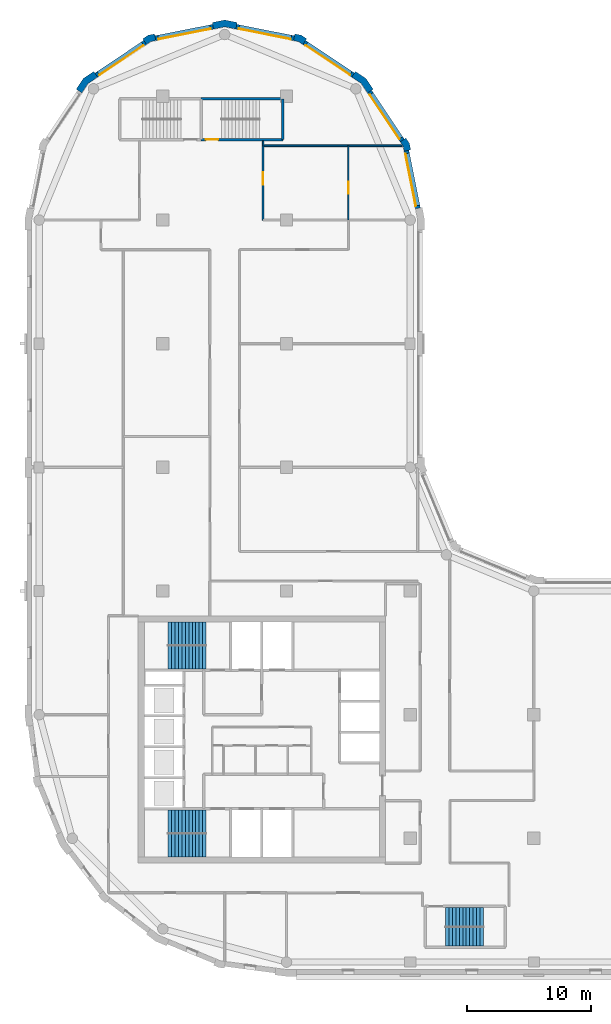
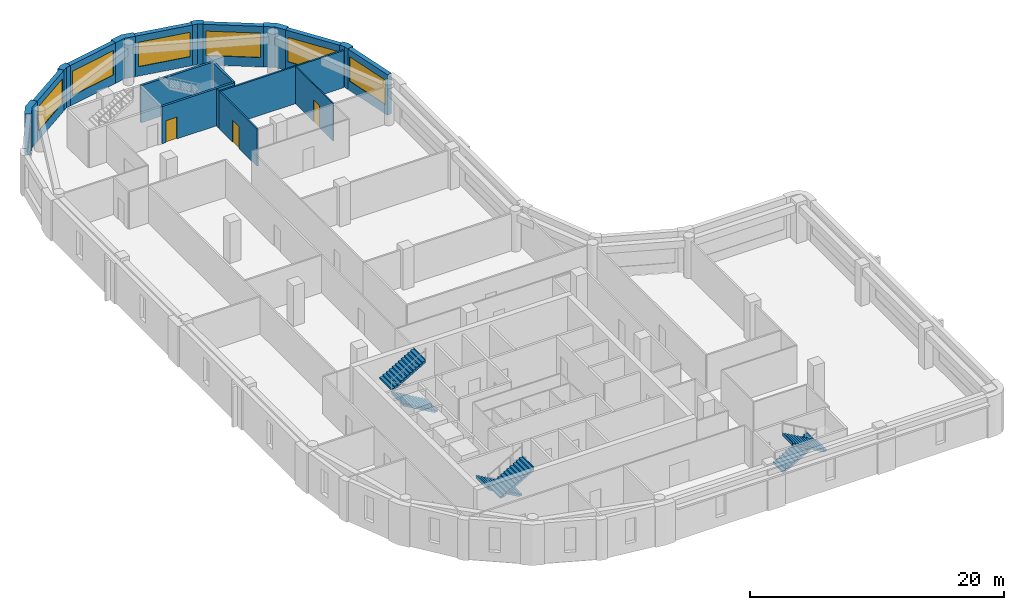
# One storey, part 6 of 9: 19 walls, 6 stair flights, 6 windows, 3 doors, 9 openings, 3 elements without a shape of their own.
"""IFC4 building model written with IfcOpenShell, lengths in metres."""

import ifcopenshell
import ifcopenshell.guid

model = None  # the IFC model being written
_history = None  # IfcOwnerHistory: only IFC2X3 demands one
_inside = {}  # id of a spatial element -> (the spatial element, [elements in it])
_under = {}  # id of a project, library or spatial element -> (it, [spatial elements below it])
_declared = {}  # id of a project -> (the project, [libraries it declares])
_typed = {}  # id of a type object -> (the type object, [elements of that type])
_made_of = {}  # id of a material, layer set ... -> (it, [elements and type objects made of it])


def new_model(schema):
    """Start an empty IFC model of exactly this schema.

    Asked for "IFC4X3", IfcOpenShell would pick the latest addendum, in which some entities
    have other attributes; the version numbers below select the first issue.
    IFC2X3 requires an IfcOwnerHistory on every rooted entity: one is made here for all.
    """
    global model, _history
    if schema == "IFC4X3":
        model = ifcopenshell.file(schema_version=(4, 3, 0, 0))
    else:
        model = ifcopenshell.file(schema=schema)
    _inside.clear()
    _under.clear()
    _declared.clear()
    _typed.clear()
    _made_of.clear()
    _history = None
    if model.schema == "IFC2X3":
        org = make("IfcOrganization", Name="unknown")
        user = make(
            "IfcPersonAndOrganization",
            ThePerson=make("IfcPerson", FamilyName="unknown"),
            TheOrganization=org,
        )
        app = make(
            "IfcApplication",
            ApplicationDeveloper=org,
            Version="unknown",
            ApplicationFullName="unknown",
            ApplicationIdentifier="unknown",
        )
        _history = make(
            "IfcOwnerHistory",
            OwningUser=user,
            OwningApplication=app,
            ChangeAction="ADDED",
            CreationDate=0,
        )
    return model


def make(cls, **values):
    """One entity of the class cls with the attributes given. An attribute that is None is left unset."""
    return model.create_entity(
        cls, **{name: value for name, value in values.items() if value is not None}
    )


def rooted(cls, **values):
    """An entity with a GlobalId (a new one), such as an element, a storey or a relation."""
    return make(cls, GlobalId=ifcopenshell.guid.new(), OwnerHistory=_history, **values)


def si_unit(unit_type, name, prefix=None):
    """IfcSIUnit, for example si_unit("LENGTHUNIT", "METRE", prefix="MILLI")."""
    return make("IfcSIUnit", UnitType=unit_type, Prefix=prefix, Name=name)


def assignment(units):
    """IfcUnitAssignment: the units of a project."""
    return None if units is None else make("IfcUnitAssignment", Units=units)


def point(xyz):
    """IfcCartesianPoint."""
    return None if xyz is None else make("IfcCartesianPoint", Coordinates=xyz)


def direction(xyz):
    """IfcDirection."""
    return None if xyz is None else make("IfcDirection", DirectionRatios=xyz)


def frame(location, z_axis=None, x_axis=None):
    """IfcAxis2Placement3D, a coordinate frame: its origin and axes. An axis left out is left unset."""
    return make(
        "IfcAxis2Placement3D",
        Location=point(location),
        Axis=direction(z_axis),
        RefDirection=direction(x_axis),
    )


def frame_2d(location, x_axis=None):
    """IfcAxis2Placement2D, a coordinate frame in the plane: its origin and x axis."""
    return make(
        "IfcAxis2Placement2D", Location=point(location), RefDirection=direction(x_axis)
    )


def origin():
    """The frame at (0, 0, 0) with its axes left unset."""
    return frame((0.0, 0.0, 0.0))


def place(relative_to, where):
    """IfcLocalPlacement: puts the frame where relative to a parent placement (None: the world)."""
    return make(
        "IfcLocalPlacement", PlacementRelTo=relative_to, RelativePlacement=where
    )


def context(
    kind, dimensions, precision=None, world=None, true_north=None, identifier=None
):
    """IfcGeometricRepresentationContext, for example the 3D "Model" context."""
    return make(
        "IfcGeometricRepresentationContext",
        ContextIdentifier=identifier,
        ContextType=kind,
        CoordinateSpaceDimension=dimensions,
        Precision=precision,
        WorldCoordinateSystem=world,
        TrueNorth=true_north,
    )


def subcontext(parent, identifier, kind, view, scale=None):
    """IfcGeometricRepresentationSubContext, for example "Body" below "Model"."""
    return make(
        "IfcGeometricRepresentationSubContext",
        ContextIdentifier=identifier,
        ContextType=kind,
        ParentContext=parent,
        TargetScale=scale,
        TargetView=view,
    )


def project(units=None, contexts=None):
    """IfcProject with its units and contexts."""
    return rooted(
        "IfcProject",
        Name="project",
        RepresentationContexts=contexts,
        UnitsInContext=assignment(units),
    )


def spatial(cls, under=None, at=None, **own):
    """A site, building, storey or space (cls), placed at a placement, below another one or the project."""
    s = rooted(cls, ObjectPlacement=at, **own)
    if under is not None:
        _under.setdefault(under.id(), (under, []))[1].append(s)
    return s


def polyline(points):
    """IfcPolyline through the points."""
    return make("IfcPolyline", Points=[point(p) for p in points])


def profile(cls, at=None, kind="AREA", **sizes):
    """A parametric profile (cls). Its sizes go by their IFC names, for example OverallWidth=200.0."""
    return make(cls, ProfileType=kind, Position=at, **sizes)


def rectangle(**sizes):
    """IfcRectangleProfileDef."""
    return profile("IfcRectangleProfileDef", **sizes)


def outline(outer, holes=None, kind="AREA"):
    """IfcArbitraryClosedProfileDef: a profile drawn as a closed curve; with holes, ...WithVoids."""
    if holes is None:
        return make("IfcArbitraryClosedProfileDef", ProfileType=kind, OuterCurve=outer)
    return make(
        "IfcArbitraryProfileDefWithVoids",
        ProfileType=kind,
        OuterCurve=outer,
        InnerCurves=holes,
    )


def extrude(swept, where, along, depth):
    """IfcExtrudedAreaSolid: the profile swept, set in the frame where, extruded along a direction by depth."""
    return make(
        "IfcExtrudedAreaSolid",
        SweptArea=swept,
        Position=where,
        ExtrudedDirection=direction(along),
        Depth=depth,
    )


def shape(context_of_items, identifier, shape_type, items):
    """IfcShapeRepresentation: the items that make up one representation, for example the "Body"."""
    return make(
        "IfcShapeRepresentation",
        ContextOfItems=context_of_items,
        RepresentationIdentifier=identifier,
        RepresentationType=shape_type,
        Items=items,
    )


def material(Name=None, Category=None):
    """IfcMaterial."""
    return make("IfcMaterial", Name=Name, Category=Category)


def layer(
    of_material, thickness, ventilated=None, Name=None, Category=None, Priority=None
):
    """IfcMaterialLayer: one layer of a wall or slab, of a material (None: an air gap)."""
    return make(
        "IfcMaterialLayer",
        Material=of_material,
        LayerThickness=thickness,
        IsVentilated=ventilated,
        Name=Name,
        Category=Category,
        Priority=Priority,
    )


def layer_set(layers, Name=None):
    """IfcMaterialLayerSet."""
    return make("IfcMaterialLayerSet", MaterialLayers=layers, LayerSetName=Name)


def made_of(thing, what):
    """Note that an element or type object is made of a material, layer set ...; save() writes the relation."""
    if what is not None:
        _made_of.setdefault(what.id(), (what, []))[1].append(thing)
    return thing


def type_object(cls, material=None, **own):
    """A type object (cls), such as IfcWallType, which elements share."""
    return made_of(rooted(cls, **own), material)


def element(
    cls,
    number,
    at=None,
    inside=None,
    cuts=None,
    type_object=None,
    material=None,
    context=None,
    identifier="Body",
    shape_type=None,
    held_by="IfcProductDefinitionShape",
    body=None,
    shapes=None,
    **own,
):
    """One element of the class cls, such as IfcWall. Its Tag is "e" and its number.

    at: its placement. inside: the storey or other place that contains it. cuts: it is an
    opening in that element (IfcRelVoidsElement). A single representation is given by context,
    identifier, shape_type and body (its items); several are given by shapes. held_by: the class
    of the entity that holds the representations. save() writes the other relations.
    """
    e = rooted(cls, Tag="e%d" % number, ObjectPlacement=at, **own)
    if body is not None:
        shapes = [shape(context, identifier, shape_type, body)]
    if shapes is not None:
        e.Representation = make(held_by, Representations=shapes)
    if inside is not None:
        _inside.setdefault(inside.id(), (inside, []))[1].append(e)
    if cuts is not None:
        rooted(
            "IfcRelVoidsElement", RelatingBuildingElement=cuts, RelatedOpeningElement=e
        )
    if type_object is not None:
        _typed.setdefault(type_object.id(), (type_object, []))[1].append(e)
    return made_of(e, material)


def fill(opening, filler):
    """IfcRelFillsElement: the door or window that sits in an opening."""
    return rooted(
        "IfcRelFillsElement",
        RelatingOpeningElement=opening,
        RelatedBuildingElement=filler,
    )


def aggregate(whole, parts):
    """IfcRelAggregates: a whole, such as a stair, and the parts it consists of."""
    return rooted("IfcRelAggregates", RelatingObject=whole, RelatedObjects=parts)


def save(model, path):
    """Write the relations noted so far, then the file.

    IfcRelAggregates (storeys below a building ...), IfcRelContainedInSpatialStructure (elements
    in a storey), IfcRelDefinesByType, IfcRelAssociatesMaterial and IfcRelDeclares: one each for
    every whole, place, type object, material and project.
    """
    for whole, parts in _under.values():
        aggregate(whole, parts)
    for where, things in _inside.values():
        rooted(
            "IfcRelContainedInSpatialStructure",
            RelatedElements=things,
            RelatingStructure=where,
        )
    for kind, things in _typed.values():
        rooted("IfcRelDefinesByType", RelatedObjects=things, RelatingType=kind)
    for what, things in _made_of.values():
        rooted("IfcRelAssociatesMaterial", RelatedObjects=things, RelatingMaterial=what)
    for by, libraries in _declared.values():
        rooted("IfcRelDeclares", RelatingContext=by, RelatedDefinitions=libraries)
    model.write(path)


model = new_model("IFC4")

# Units and contexts
model_context = context("Model", 3, precision=1e-05, world=origin(), true_north=direction((0.0, 1.0)))
body_context = subcontext(model_context, "Body", "Model", "MODEL_VIEW")
ifc_project = project(units=[si_unit("LENGTHUNIT", "METRE"), si_unit("AREAUNIT", "SQUARE_METRE"), si_unit("VOLUMEUNIT", "CUBIC_METRE"), si_unit("PLANEANGLEUNIT", "RADIAN"), si_unit("MASSUNIT", "GRAM", prefix="KILO")], contexts=[model_context])

# Site, building, storey
site_placement = place(None, origin())
site = spatial("IfcSite", under=ifc_project, at=site_placement, CompositionType="ELEMENT")
building_placement = place(site_placement, origin())
building = spatial("IfcBuilding", under=site, at=building_placement, Name="Qaws Garden Tower", CompositionType="ELEMENT")
storey_placement = place(building_placement, frame((0.0, 0.0, 270.89990234375)))
storey = spatial("IfcBuildingStorey", under=building, at=storey_placement, Name="L65", CompositionType="ELEMENT", Elevation=270.89990234375)

# Wall, opening, window
ifc_material_1 = material(Name="Clay facing brick masonry", Category="masonry")
ifc_layer_1 = layer(ifc_material_1, 0.39990234375)
ifc_layer_set_1 = layer_set([ifc_layer_1], Name="Clay facing brick masonry")
wall_type_1 = type_object("IfcWallType", Name="Brick infill wall 400", PredefinedType="SOLIDWALL", material=ifc_layer_set_1)
wall_1_placement = place(storey_placement, frame((30.628662109375, 60.940673828125, 0.0), z_axis=(0.0, 0.0, 1.0), x_axis=(-0.195098533057, 0.98078364709, 0.0)))
wall_1 = element("IfcWall", 1, at=wall_1_placement, inside=storey, type_object=wall_type_1, Name="E-L65-infill-11", PredefinedType="SOLIDWALL", context=body_context, shape_type="SweptSolid", body=[
    extrude(rectangle(XDim=4.752685546875, YDim=0.39990234375, at=frame_2d((2.37646484375, 0.0))), origin(), (0.0, 0.0, 1.0), 3.900146484375),
])
opening_1_placement = place(wall_1_placement, frame((0.226318359375, 0.0, 0.89990234375)))
opening_1 = element("IfcOpeningElement", 2, at=opening_1_placement, cuts=wall_1, Name="Opening W06", PredefinedType="OPENING", context=body_context, shape_type="SweptSolid", body=[
    extrude(rectangle(XDim=4.300048828125, YDim=2.35009765625, at=frame_2d((2.14990234375, 1.175048828125))), frame((0.0, 0.2099609375, 0.0), z_axis=(0.0, -1.0, 0.0), x_axis=(1.0, 0.0, 0.0)), (0.0, 0.0, 1.0), 0.419921875),
])
ifc_material_2 = material(Name="Aluminium framed window, clear glazing", Category="aluminium")
window_type = type_object("IfcWindowType", Name="Ribbon window 4300 x 2350", PartitioningType="DOUBLE_PANEL_VERTICAL", PredefinedType="WINDOW", material=ifc_material_2)
window_1_placement = place(opening_1_placement, origin())
window_1 = element("IfcWindow", 3, at=window_1_placement, inside=storey, type_object=window_type, Name="E-L65-window-11-0", OverallHeight=2.35009765625, OverallWidth=4.300048828125, PartitioningType="SINGLE_PANEL", PredefinedType="WINDOW", context=body_context, shape_type="SweptSolid", body=[
    extrude(rectangle(XDim=4.300048828125, YDim=2.35009765625, at=frame_2d((2.14990234375, 1.175048828125))), frame((0.0, 0.159912109375, 0.0), z_axis=(0.0, -1.0, 0.0), x_axis=(1.0, 0.0, 0.0)), (0.0, 0.0, 1.0), 0.06005859375),
])
fill(opening_1, window_1)

wall_2_placement = place(storey_placement, frame((29.356689453125, 66.43408203125, 0.0), z_axis=(0.0, 0.0, 1.0), x_axis=(-0.555541552266, 0.831488775454, 0.0)))
wall_2 = element("IfcWall", 4, at=wall_2_placement, inside=storey, type_object=wall_type_1, Name="E-L65-infill-12", PredefinedType="SOLIDWALL", context=body_context, shape_type="SweptSolid", body=[
    extrude(rectangle(XDim=4.752685546875, YDim=0.39990234375, at=frame_2d((2.37646484375, 0.0))), origin(), (0.0, 0.0, 1.0), 3.900146484375),
])
opening_2_placement = place(wall_2_placement, frame((0.226318359375, 0.0, 0.89990234375)))
opening_2 = element("IfcOpeningElement", 5, at=opening_2_placement, cuts=wall_2, Name="Opening W06", PredefinedType="OPENING", context=body_context, shape_type="SweptSolid", body=[
    extrude(rectangle(XDim=4.300048828125, YDim=2.35009765625, at=frame_2d((2.14990234375, 1.175048828125))), frame((0.0, 0.2099609375, 0.0), z_axis=(0.0, -1.0, 0.0), x_axis=(1.0, 0.0, 0.0)), (0.0, 0.0, 1.0), 0.419921875),
])
window_2_placement = place(opening_2_placement, origin())
window_2 = element("IfcWindow", 6, at=window_2_placement, inside=storey, type_object=window_type, Name="E-L65-window-12-0", OverallHeight=2.35009765625, OverallWidth=4.300048828125, PartitioningType="SINGLE_PANEL", PredefinedType="WINDOW", context=body_context, shape_type="SweptSolid", body=[
    extrude(rectangle(XDim=4.300048828125, YDim=2.35009765625, at=frame_2d((2.14990234375, 1.175048828125))), frame((0.0, 0.159912109375, 0.0), z_axis=(0.0, -1.0, 0.0), x_axis=(1.0, 0.0, 0.0)), (0.0, 0.0, 1.0), 0.06005859375),
])
fill(opening_2, window_2)

wall_3_placement = place(storey_placement, frame((25.385986328125, 71.71630859375, 0.0), z_axis=(0.0, 0.0, 1.0), x_axis=(-0.831488775454, 0.555541552266, 0.0)))
wall_3 = element("IfcWall", 7, at=wall_3_placement, inside=storey, type_object=wall_type_1, Name="E-L65-infill-13", PredefinedType="SOLIDWALL", context=body_context, shape_type="SweptSolid", body=[
    extrude(rectangle(XDim=4.752685546875, YDim=0.39990234375, at=frame_2d((2.37646484375, 0.0))), origin(), (0.0, 0.0, 1.0), 3.900146484375),
])
opening_3_placement = place(wall_3_placement, frame((0.226318359375, 0.0, 0.89990234375)))
opening_3 = element("IfcOpeningElement", 8, at=opening_3_placement, cuts=wall_3, Name="Opening W06", PredefinedType="OPENING", context=body_context, shape_type="SweptSolid", body=[
    extrude(rectangle(XDim=4.300048828125, YDim=2.35009765625, at=frame_2d((2.14990234375, 1.175048828125))), frame((0.0, 0.2099609375, 0.0), z_axis=(0.0, -1.0, 0.0), x_axis=(1.0, 0.0, 0.0)), (0.0, 0.0, 1.0), 0.419921875),
])
window_3_placement = place(opening_3_placement, origin())
window_3 = element("IfcWindow", 9, at=window_3_placement, inside=storey, type_object=window_type, Name="E-L65-window-13-0", OverallHeight=2.35009765625, OverallWidth=4.300048828125, PartitioningType="SINGLE_PANEL", PredefinedType="WINDOW", context=body_context, shape_type="SweptSolid", body=[
    extrude(rectangle(XDim=4.300048828125, YDim=2.35009765625, at=frame_2d((2.14990234375, 1.175048828125))), frame((0.0, 0.159912109375, 0.0), z_axis=(0.0, -1.0, 0.0), x_axis=(1.0, 0.0, 0.0)), (0.0, 0.0, 1.0), 0.06005859375),
])
fill(opening_3, window_3)

wall_4_placement = place(storey_placement, frame((20.60205078125, 74.701416015625, 0.0), z_axis=(0.0, 0.0, 1.0), x_axis=(-0.98078364709, 0.195098533057, 0.0)))
wall_4 = element("IfcWall", 10, at=wall_4_placement, inside=storey, type_object=wall_type_1, Name="E-L65-infill-14", PredefinedType="SOLIDWALL", context=body_context, shape_type="SweptSolid", body=[
    extrude(rectangle(XDim=4.752685546875, YDim=0.39990234375, at=frame_2d((2.37646484375, 0.0))), origin(), (0.0, 0.0, 1.0), 3.900146484375),
])
opening_4_placement = place(wall_4_placement, frame((0.226318359375, 0.0, 0.89990234375)))
opening_4 = element("IfcOpeningElement", 11, at=opening_4_placement, cuts=wall_4, Name="Opening W06", PredefinedType="OPENING", context=body_context, shape_type="SweptSolid", body=[
    extrude(rectangle(XDim=4.300048828125, YDim=2.35009765625, at=frame_2d((2.14990234375, 1.175048828125))), frame((0.0, 0.2099609375, 0.0), z_axis=(0.0, -1.0, 0.0), x_axis=(1.0, 0.0, 0.0)), (0.0, 0.0, 1.0), 0.419921875),
])
window_4_placement = place(opening_4_placement, origin())
window_4 = element("IfcWindow", 12, at=window_4_placement, inside=storey, type_object=window_type, Name="E-L65-window-14-0", OverallHeight=2.35009765625, OverallWidth=4.300048828125, PartitioningType="SINGLE_PANEL", PredefinedType="WINDOW", context=body_context, shape_type="SweptSolid", body=[
    extrude(rectangle(XDim=4.300048828125, YDim=2.35009765625, at=frame_2d((2.14990234375, 1.175048828125))), frame((0.0, 0.159912109375, 0.0), z_axis=(0.0, -1.0, 0.0), x_axis=(1.0, 0.0, 0.0)), (0.0, 0.0, 1.0), 0.06005859375),
])
fill(opening_4, window_4)

wall_5_placement = place(storey_placement, frame((14.059326171875, 75.628662109375, 0.0), z_axis=(0.0, 0.0, 1.0), x_axis=(-0.98078364709, -0.195098533057, 0.0)))
wall_5 = element("IfcWall", 13, at=wall_5_placement, inside=storey, type_object=wall_type_1, Name="E-L65-infill-15", PredefinedType="SOLIDWALL", context=body_context, shape_type="SweptSolid", body=[
    extrude(rectangle(XDim=4.752685546875, YDim=0.39990234375, at=frame_2d((2.37646484375, 0.0))), origin(), (0.0, 0.0, 1.0), 3.900146484375),
])
opening_5_placement = place(wall_5_placement, frame((0.226318359375, 0.0, 0.89990234375)))
opening_5 = element("IfcOpeningElement", 14, at=opening_5_placement, cuts=wall_5, Name="Opening W06", PredefinedType="OPENING", context=body_context, shape_type="SweptSolid", body=[
    extrude(rectangle(XDim=4.300048828125, YDim=2.35009765625, at=frame_2d((2.14990234375, 1.175048828125))), frame((0.0, 0.2099609375, 0.0), z_axis=(0.0, -1.0, 0.0), x_axis=(1.0, 0.0, 0.0)), (0.0, 0.0, 1.0), 0.419921875),
])
window_5_placement = place(opening_5_placement, origin())
window_5 = element("IfcWindow", 15, at=window_5_placement, inside=storey, type_object=window_type, Name="E-L65-window-15-0", OverallHeight=2.35009765625, OverallWidth=4.300048828125, PartitioningType="SINGLE_PANEL", PredefinedType="WINDOW", context=body_context, shape_type="SweptSolid", body=[
    extrude(rectangle(XDim=4.300048828125, YDim=2.35009765625, at=frame_2d((2.14990234375, 1.175048828125))), frame((0.0, 0.159912109375, 0.0), z_axis=(0.0, -1.0, 0.0), x_axis=(1.0, 0.0, 0.0)), (0.0, 0.0, 1.0), 0.06005859375),
])
fill(opening_5, window_5)

wall_6_placement = place(storey_placement, frame((8.56591796875, 74.356689453125, 0.0), z_axis=(0.0, 0.0, 1.0), x_axis=(-0.831488775454, -0.555541552266, 0.0)))
wall_6 = element("IfcWall", 16, at=wall_6_placement, inside=storey, type_object=wall_type_1, Name="E-L65-infill-16", PredefinedType="SOLIDWALL", context=body_context, shape_type="SweptSolid", body=[
    extrude(rectangle(XDim=4.752685546875, YDim=0.39990234375, at=frame_2d((2.37646484375, 0.0))), origin(), (0.0, 0.0, 1.0), 3.900146484375),
])
opening_6_placement = place(wall_6_placement, frame((0.226318359375, 0.0, 0.89990234375)))
opening_6 = element("IfcOpeningElement", 17, at=opening_6_placement, cuts=wall_6, Name="Opening W06", PredefinedType="OPENING", context=body_context, shape_type="SweptSolid", body=[
    extrude(rectangle(XDim=4.300048828125, YDim=2.35009765625, at=frame_2d((2.14990234375, 1.175048828125))), frame((0.0, 0.2099609375, 0.0), z_axis=(0.0, -1.0, 0.0), x_axis=(1.0, 0.0, 0.0)), (0.0, 0.0, 1.0), 0.419921875),
])
window_6_placement = place(opening_6_placement, origin())
window_6 = element("IfcWindow", 18, at=window_6_placement, inside=storey, type_object=window_type, Name="E-L65-window-16-0", OverallHeight=2.35009765625, OverallWidth=4.300048828125, PartitioningType="SINGLE_PANEL", PredefinedType="WINDOW", context=body_context, shape_type="SweptSolid", body=[
    extrude(rectangle(XDim=4.300048828125, YDim=2.35009765625, at=frame_2d((2.14990234375, 1.175048828125))), frame((0.0, 0.159912109375, 0.0), z_axis=(0.0, -1.0, 0.0), x_axis=(1.0, 0.0, 0.0)), (0.0, 0.0, 1.0), 0.06005859375),
])
fill(opening_6, window_6)

# Walls
ifc_material_3 = material(Name="Clay facing brick masonry", Category="masonry")
ifc_layer_2 = layer(ifc_material_3, 0.550048828125)
ifc_layer_set_2 = layer_set([ifc_layer_2], Name="Clay facing brick masonry")
wall_type_2 = type_object("IfcWallType", Name="Brick kink pier 550 x 600", PredefinedType="SOLIDWALL", material=ifc_layer_set_2)
placement = place(storey_placement, origin())
element("IfcWall", 19, at=placement, inside=storey, type_object=wall_type_2, Name="E-L65-pier-12", PredefinedType="SOLIDWALL", context=body_context, shape_type="SweptSolid", body=[
    extrude(outline(polyline([(29.8974609375, 65.64111328125), (30.044677734375, 65.67041015625), (29.94140625, 66.18896484375), (29.647705078125, 66.628662109375), (29.52294921875, 66.545166015625), (29.1904296875, 66.322998046875), (29.42333984375, 65.974365234375), (29.505126953125, 65.56298828125), (29.8974609375, 65.64111328125)])), origin(), (0.0, 0.0, 1.0), 3.900146484375),
])
element("IfcWall", 20, at=placement, inside=storey, type_object=wall_type_2, Name="E-L65-pier-14", PredefinedType="SOLIDWALL", context=body_context, shape_type="SweptSolid", body=[
    extrude(outline(polyline([(21.545166015625, 74.52294921875), (21.628662109375, 74.647705078125), (21.18896484375, 74.94140625), (20.67041015625, 75.044677734375), (20.64111328125, 74.8974609375), (20.56298828125, 74.505126953125), (20.974365234375, 74.42333984375), (21.322998046875, 74.1904296875), (21.545166015625, 74.52294921875)])), origin(), (0.0, 0.0, 1.0), 3.900146484375),
])
element("IfcWall", 21, at=placement, inside=storey, type_object=wall_type_2, Name="E-L65-pier-16", PredefinedType="SOLIDWALL", context=body_context, shape_type="SweptSolid", body=[
    extrude(outline(polyline([(9.35888671875, 74.8974609375), (9.32958984375, 75.044677734375), (8.81103515625, 74.94140625), (8.371337890625, 74.647705078125), (8.454833984375, 74.52294921875), (8.677001953125, 74.1904296875), (9.025634765625, 74.42333984375), (9.43701171875, 74.505126953125), (9.35888671875, 74.8974609375)])), origin(), (0.0, 0.0, 1.0), 3.900146484375),
])
ifc_material_4 = material(Name="Clay facing brick masonry", Category="masonry")
ifc_layer_3 = layer(ifc_material_4, 0.550048828125)
ifc_layer_set_3 = layer_set([ifc_layer_3], Name="Clay facing brick masonry")
wall_type_3 = type_object("IfcWallType", Name="Brick pier 550 x 1600", PredefinedType="SOLIDWALL", material=ifc_layer_set_3)
element("IfcWall", 22, at=placement, inside=storey, type_object=wall_type_3, Name="E-L65-pier-13", PredefinedType="SOLIDWALL", context=body_context, shape_type="SweptSolid", body=[
    extrude(outline(polyline([(26.882568359375, 70.4970703125), (27.00732421875, 70.580322265625), (26.435791015625, 71.435791015625), (25.580322265625, 72.00732421875), (25.4970703125, 71.882568359375), (25.274658203125, 71.550048828125), (26.0390625, 71.0390625), (26.550048828125, 70.274658203125), (26.882568359375, 70.4970703125)])), origin(), (0.0, 0.0, 1.0), 3.900146484375),
])
element("IfcWall", 23, at=placement, inside=storey, type_object=wall_type_3, Name="E-L65-pier-15", PredefinedType="SOLIDWALL", context=body_context, shape_type="SweptSolid", body=[
    extrude(outline(polyline([(15.979736328125, 75.82470703125), (16.009033203125, 75.971923828125), (15.0, 76.172607421875), (13.990966796875, 75.971923828125), (14.020263671875, 75.82470703125), (14.098388671875, 75.432373046875), (15.0, 75.61181640625), (15.901611328125, 75.432373046875), (15.979736328125, 75.82470703125)])), origin(), (0.0, 0.0, 1.0), 3.900146484375),
])
element("IfcWall", 24, at=placement, inside=storey, type_object=wall_type_3, Name="E-L65-pier-17", PredefinedType="SOLIDWALL", context=body_context, shape_type="SweptSolid", body=[
    extrude(outline(polyline([(4.5029296875, 71.882568359375), (4.419677734375, 72.00732421875), (3.564208984375, 71.435791015625), (2.99267578125, 70.580322265625), (3.117431640625, 70.4970703125), (3.449951171875, 70.274658203125), (3.9609375, 71.0390625), (4.725341796875, 71.550048828125), (4.5029296875, 71.882568359375)])), origin(), (0.0, 0.0, 1.0), 3.900146484375),
])

# Wall, opening, door
ifc_material_5 = material(Name="Concrete C60", Category="concrete")
ifc_layer_4 = layer(ifc_material_5, 0.199951171875)
ifc_layer_set_4 = layer_set([ifc_layer_4], Name="Concrete C60")
wall_type_4 = type_object("IfcWallType", Name="Core shaft wall 200 C60", PredefinedType="SHEAR", material=ifc_layer_set_4)
wall_13_placement = place(storey_placement, frame((13.10009765625, 66.5, 0.0), z_axis=(0.0, 0.0, 1.0), x_axis=(1.0, 0.0, 0.0)))
wall_13 = element("IfcWall", 25, at=wall_13_placement, inside=storey, type_object=wall_type_4, Name="Shaft wall", PredefinedType="SHEAR", context=body_context, shape_type="SweptSolid", body=[
    extrude(rectangle(XDim=6.599853515625, YDim=0.199951171875, at=frame_2d((3.2998046875, 0.0))), origin(), (0.0, 0.0, 1.0), 3.580078125),
])
opening_7_placement = place(wall_13_placement, frame((0.375, 0.0, 0.0)))
opening_7 = element("IfcOpeningElement", 26, at=opening_7_placement, cuts=wall_13, Name="Opening SD14", PredefinedType="OPENING", context=body_context, shape_type="SweptSolid", body=[
    extrude(rectangle(XDim=1.0, YDim=2.10009765625, at=frame_2d((0.5, 1.050048828125))), frame((0.0, 0.10986328125, 0.0), z_axis=(0.0, -1.0, 0.0), x_axis=(1.0, 0.0, 0.0)), (0.0, 0.0, 1.0), 0.219970703125),
])
ifc_material_6 = material(Name="Steel S235", Category="steel")
door_type_1 = type_object("IfcDoorType", Name="Stair door 1000x2100", OperationType="SINGLE_SWING_RIGHT", PredefinedType="DOOR", material=ifc_material_6)
door_1_placement = place(opening_7_placement, origin())
door_1 = element("IfcDoor", 27, at=door_1_placement, inside=storey, type_object=door_type_1, Name="Stair 7 door", OperationType="SINGLE_SWING_LEFT", OverallHeight=2.10009765625, OverallWidth=1.0, PredefinedType="DOOR", context=body_context, shape_type="SweptSolid", body=[
    extrude(rectangle(XDim=1.0, YDim=2.10009765625, at=frame_2d((0.5, 1.050048828125))), frame((0.0, 0.02490234375, 0.0), z_axis=(0.0, -1.0, 0.0), x_axis=(1.0, 0.0, 0.0)), (0.0, 0.0, 1.0), 0.050048828125),
])
fill(opening_7, door_1)

# Walls
wall_14_placement = place(storey_placement, frame((13.10009765625, 69.800048828125, 0.0), z_axis=(0.0, 0.0, 1.0), x_axis=(1.0, 0.0, 0.0)))
element("IfcWall", 28, at=wall_14_placement, inside=storey, type_object=wall_type_4, Name="Shaft wall", PredefinedType="SHEAR", context=body_context, shape_type="SweptSolid", body=[
    extrude(rectangle(XDim=6.599853515625, YDim=0.199951171875, at=frame_2d((3.2998046875, 0.0))), origin(), (0.0, 0.0, 1.0), 3.580078125),
])
wall_15_placement = place(storey_placement, frame((19.699951171875, 66.5, 0.0), z_axis=(0.0, 0.0, 1.0), x_axis=(0.0, 1.0, 0.0)))
element("IfcWall", 29, at=wall_15_placement, inside=storey, type_object=wall_type_4, Name="Shaft wall", PredefinedType="SHEAR", context=body_context, shape_type="SweptSolid", body=[
    extrude(rectangle(XDim=3.300048828125, YDim=0.199951171875, at=frame_2d((1.64990234375, 0.0))), origin(), (0.0, 0.0, 1.0), 3.580078125),
])
ifc_material_7 = material(Name="Glass and aluminium framing", Category="aluminium")
ifc_layer_5 = layer(ifc_material_7, 0.1201171875)
ifc_layer_set_5 = layer_set([ifc_layer_5], Name="Glass and aluminium framing")
wall_type_5 = type_object("IfcWallType", Name="GLAZED PARTITION 120 EI 30", PredefinedType="PARTITIONING", material=ifc_layer_set_5)
wall_16_placement = place(storey_placement, frame((18.10009765625, 66.0, 0.0), z_axis=(0.0, 0.0, 1.0), x_axis=(0.0, 1.0, 0.0)))
element("IfcWall", 30, at=wall_16_placement, inside=storey, type_object=wall_type_5, Name="O-L65-wall-043", PredefinedType="PARTITIONING", context=body_context, shape_type="SweptSolid", body=[
    extrude(rectangle(XDim=0.39990234375, YDim=0.1201171875, at=frame_2d((0.199951171875, 0.0))), origin(), (0.0, 0.0, 1.0), 3.580078125),
])

# Wall, opening, door
ifc_material_8 = material(Name="Gypsum board partition")
ifc_layer_6 = layer(ifc_material_8, 0.10009765625)
ifc_layer_set_6 = layer_set([ifc_layer_6], Name="Gypsum board partition")
wall_type_6 = type_object("IfcWallType", Name="PARTITION 100", PredefinedType="PARTITIONING", material=ifc_layer_set_6)
wall_17_placement = place(storey_placement, frame((25.0, 60.0, 0.0), z_axis=(0.0, 0.0, 1.0), x_axis=(0.0, 1.0, 0.0)))
wall_17 = element("IfcWall", 31, at=wall_17_placement, inside=storey, type_object=wall_type_6, Name="O-L65-wall-001", PredefinedType="PARTITIONING", context=body_context, shape_type="SweptSolid", body=[
    extrude(rectangle(XDim=6.0, YDim=0.10009765625, at=frame_2d((3.0, 0.0))), origin(), (0.0, 0.0, 1.0), 3.580078125),
])
opening_8_placement = place(wall_17_placement, frame((2.125, 0.0, 0.0)))
opening_8 = element("IfcOpeningElement", 32, at=opening_8_placement, cuts=wall_17, Name="Opening C219", PredefinedType="OPENING", context=body_context, shape_type="SweptSolid", body=[
    extrude(rectangle(XDim=0.949951171875, YDim=2.10009765625, at=frame_2d((0.47509765625, 1.050048828125))), frame((0.0, 0.06005859375, 0.0), z_axis=(0.0, -1.0, 0.0), x_axis=(1.0, 0.0, 0.0)), (0.0, 0.0, 1.0), 0.1201171875),
])
ifc_material_9 = material(Name="Timber and glass door leaf", Category="wood")
door_type_2 = type_object("IfcDoorType", Name="GLAZED DOOR 950 X 2100", OperationType="SINGLE_SWING_LEFT", PredefinedType="DOOR", material=ifc_material_9)
door_2_placement = place(opening_8_placement, frame((0.949951171875, 0.0, 0.0), z_axis=(0.0, 0.0, 1.0), x_axis=(-1.0, 0.0, 0.0)))
door_2 = element("IfcDoor", 33, at=door_2_placement, inside=storey, type_object=door_type_2, Name="O-L65-door-019", OperationType="SINGLE_SWING_RIGHT", OverallHeight=2.10009765625, OverallWidth=0.949951171875, PredefinedType="DOOR", context=body_context, shape_type="SweptSolid", body=[
    extrude(rectangle(XDim=0.949951171875, YDim=2.10009765625, at=frame_2d((0.47509765625, 1.050048828125))), frame((0.0, 0.02490234375, 0.0), z_axis=(0.0, -1.0, 0.0), x_axis=(1.0, 0.0, 0.0)), (0.0, 0.0, 1.0), 0.050048828125),
])
fill(opening_8, door_2)

ifc_material_10 = material(Name="Gypsum board partition")
ifc_layer_7 = layer(ifc_material_10, 0.14990234375)
ifc_layer_set_7 = layer_set([ifc_layer_7], Name="Gypsum board partition")
wall_type_7 = type_object("IfcWallType", Name="PARTITION 150 EI 60", PredefinedType="PARTITIONING", material=ifc_layer_set_7)
wall_18_placement = place(storey_placement, frame((18.10009765625, 60.0, 0.0), z_axis=(0.0, 0.0, 1.0), x_axis=(0.0, 1.0, 0.0)))
wall_18 = element("IfcWall", 34, at=wall_18_placement, inside=storey, type_object=wall_type_7, Name="O-L65-wall-009", PredefinedType="PARTITIONING", context=body_context, shape_type="SweptSolid", body=[
    extrude(rectangle(XDim=6.0, YDim=0.14990234375, at=frame_2d((3.0, 0.0))), origin(), (0.0, 0.0, 1.0), 3.580078125),
])
opening_9_placement = place(wall_18_placement, frame((2.85009765625, 0.0, 0.0)))
opening_9 = element("IfcOpeningElement", 35, at=opening_9_placement, cuts=wall_18, Name="Opening C209", PredefinedType="OPENING", context=body_context, shape_type="SweptSolid", body=[
    extrude(rectangle(XDim=1.0, YDim=2.10009765625, at=frame_2d((0.5, 1.050048828125))), frame((0.0, 0.0849609375, 0.0), z_axis=(0.0, -1.0, 0.0), x_axis=(1.0, 0.0, 0.0)), (0.0, 0.0, 1.0), 0.169921875),
])
ifc_material_11 = material(Name="Timber door leaf", Category="wood")
door_type_3 = type_object("IfcDoorType", Name="TENANCY ENTRANCE DOOR 1000 X 2100", OperationType="SINGLE_SWING_LEFT", PredefinedType="DOOR", material=ifc_material_11)
door_3_placement = place(opening_9_placement, frame((1.0, 0.0, 0.0), z_axis=(0.0, 0.0, 1.0), x_axis=(-1.0, 0.0, 0.0)))
door_3 = element("IfcDoor", 36, at=door_3_placement, inside=storey, type_object=door_type_3, Name="O-L65-door-009", OperationType="SINGLE_SWING_RIGHT", OverallHeight=2.10009765625, OverallWidth=1.0, PredefinedType="DOOR", context=body_context, shape_type="SweptSolid", body=[
    extrude(rectangle(XDim=1.0, YDim=2.10009765625, at=frame_2d((0.5, 1.050048828125))), frame((0.0, 0.02490234375, 0.0), z_axis=(0.0, -1.0, 0.0), x_axis=(1.0, 0.0, 0.0)), (0.0, 0.0, 1.0), 0.050048828125),
])
fill(opening_9, door_3)

# Wall
wall_19_placement = place(storey_placement, frame((18.10009765625, 66.0, 0.0), z_axis=(0.0, 0.0, 1.0), x_axis=(1.0, 0.0, 0.0)))
element("IfcWall", 37, at=wall_19_placement, inside=storey, type_object=wall_type_7, Name="O-L65-wall-038", PredefinedType="PARTITIONING", context=body_context, shape_type="SweptSolid", body=[
    extrude(rectangle(XDim=11.256103515625, YDim=0.14990234375, at=frame_2d((5.6279296875, 0.0))), origin(), (0.0, 0.0, 1.0), 3.580078125),
])

# Stair, stair flights
ifc_material_12 = material(Name="Concrete C40", Category="concrete")
stair_type_1 = type_object("IfcStairType", Name="Exit stair 1350", PredefinedType="HALF_TURN_STAIR", material=ifc_material_12)
stair_1 = element("IfcStair", 38, at=placement, inside=storey, type_object=stair_type_1, Name="Stair 5", PredefinedType="HALF_TURN_STAIR")
ifc_material_13 = material(Name="Concrete C40", Category="concrete")
stair_flight_type_1 = type_object("IfcStairFlightType", Name="Stair flight 1350", PredefinedType="STRAIGHT", material=ifc_material_13)
stair_flight_1_placement = place(storey_placement, frame((32.85009765625, 3.625, 0.0), z_axis=(0.0, 0.0, 1.0), x_axis=(1.0, 0.0, 0.0)))
stair_flight_1 = element("IfcStairFlight", 39, at=stair_flight_1_placement, type_object=stair_flight_type_1, Name="ST5 flight 1", NumberOfRisers=12, NumberOfTreads=11, PredefinedType="STRAIGHT", RiserHeight=0.1625, TreadLength=0.28, context=body_context, shape_type="SweptSolid", body=[
    extrude(outline(polyline([(-0.0029296875, 0.0), (-0.0029296875, 0.16259765625), (0.0, 0.16259765625), (0.280029296875, 0.16259765625), (0.280029296875, 0.324951171875), (0.56005859375, 0.324951171875), (0.56005859375, 0.487548828125), (0.840087890625, 0.487548828125), (0.840087890625, 0.64990234375), (1.1201171875, 0.64990234375), (1.1201171875, 0.8125), (1.39990234375, 0.8125), (1.39990234375, 0.97509765625), (1.679931640625, 0.97509765625), (1.679931640625, 1.137451171875), (1.9599609375, 1.137451171875), (1.9599609375, 1.300048828125), (2.239990234375, 1.300048828125), (2.239990234375, 1.46240234375), (2.52001953125, 1.46240234375), (2.52001953125, 1.625), (2.800048828125, 1.625), (2.800048828125, 1.78759765625), (3.080078125, 1.78759765625), (3.080078125, 1.949951171875), (3.0830078125, 1.949951171875), (3.0830078125, 1.6142578125), (3.080078125, 1.6142578125), (0.298583984375, 0.0), (-0.0029296875, 0.0)])), frame((0.0, 0.77490234375, 0.0), z_axis=(0.0, -1.0, 0.0), x_axis=(1.0, 0.0, 0.0)), (0.0, 0.0, 1.0), 1.550048828125),
])
stair_flight_2_placement = place(storey_placement, frame((35.929931640625, 2.074951171875, 1.9501953125), z_axis=(0.0, 0.0, 1.0), x_axis=(-1.0, 0.0, 0.0)))
stair_flight_2 = element("IfcStairFlight", 40, at=stair_flight_2_placement, type_object=stair_flight_type_1, Name="ST5 flight 2", NumberOfRisers=12, NumberOfTreads=11, PredefinedType="STRAIGHT", RiserHeight=0.1625, TreadLength=0.28, context=body_context, shape_type="SweptSolid", body=[
    extrude(outline(polyline([(-0.0029296875, 0.0), (-0.0029296875, 0.16259765625), (0.0, 0.16259765625), (0.280029296875, 0.16259765625), (0.280029296875, 0.324951171875), (0.56005859375, 0.324951171875), (0.56005859375, 0.487548828125), (0.840087890625, 0.487548828125), (0.840087890625, 0.64990234375), (1.1201171875, 0.64990234375), (1.1201171875, 0.8125), (1.39990234375, 0.8125), (1.39990234375, 0.97509765625), (1.679931640625, 0.97509765625), (1.679931640625, 1.137451171875), (1.9599609375, 1.137451171875), (1.9599609375, 1.300048828125), (2.239990234375, 1.300048828125), (2.239990234375, 1.46240234375), (2.52001953125, 1.46240234375), (2.52001953125, 1.625), (2.800048828125, 1.625), (2.800048828125, 1.78759765625), (3.080078125, 1.78759765625), (3.080078125, 1.949951171875), (3.0830078125, 1.949951171875), (3.0830078125, 1.6142578125), (3.080078125, 1.6142578125), (0.298583984375, 0.0), (-0.0029296875, 0.0)])), frame((0.0, 0.77490234375, 0.0), z_axis=(0.0, -1.0, 0.0), x_axis=(1.0, 0.0, 0.0)), (0.0, 0.0, 1.0), 1.550048828125),
])
aggregate(stair_1, [stair_flight_1, stair_flight_2])

ifc_material_14 = material(Name="Concrete C40", Category="concrete")
stair_type_2 = type_object("IfcStairType", Name="Exit stair 1500", PredefinedType="HALF_TURN_STAIR", material=ifc_material_14)
stair_2 = element("IfcStair", 41, at=placement, inside=storey, type_object=stair_type_2, Name="Stair 1", PredefinedType="HALF_TURN_STAIR")
ifc_material_15 = material(Name="Concrete C40", Category="concrete")
stair_flight_type_2 = type_object("IfcStairFlightType", Name="Stair flight 1500", PredefinedType="STRAIGHT", material=ifc_material_15)
stair_flight_3_placement = place(storey_placement, frame((13.5, 11.35009765625, 0.0), z_axis=(0.0, 0.0, 1.0), x_axis=(-1.0, 0.0, 0.0)))
stair_flight_3 = element("IfcStairFlight", 42, at=stair_flight_3_placement, type_object=stair_flight_type_2, Name="ST1 flight 1", NumberOfRisers=12, NumberOfTreads=11, PredefinedType="STRAIGHT", RiserHeight=0.1625, TreadLength=0.28, context=body_context, shape_type="SweptSolid", body=[
    extrude(outline(polyline([(-0.0029296875, 0.0), (-0.0029296875, 0.16259765625), (0.0, 0.16259765625), (0.280029296875, 0.16259765625), (0.280029296875, 0.324951171875), (0.56005859375, 0.324951171875), (0.56005859375, 0.487548828125), (0.840087890625, 0.487548828125), (0.840087890625, 0.64990234375), (1.1201171875, 0.64990234375), (1.1201171875, 0.8125), (1.39990234375, 0.8125), (1.39990234375, 0.97509765625), (1.679931640625, 0.97509765625), (1.679931640625, 1.137451171875), (1.9599609375, 1.137451171875), (1.9599609375, 1.300048828125), (2.239990234375, 1.300048828125), (2.239990234375, 1.46240234375), (2.52001953125, 1.46240234375), (2.52001953125, 1.625), (2.800048828125, 1.625), (2.800048828125, 1.78759765625), (3.080078125, 1.78759765625), (3.080078125, 1.949951171875), (3.0830078125, 1.949951171875), (3.0830078125, 1.6142578125), (3.080078125, 1.6142578125), (0.298583984375, 0.0), (-0.0029296875, 0.0)])), frame((0.0, 0.949951171875, 0.0), z_axis=(0.0, -1.0, 0.0), x_axis=(1.0, 0.0, 0.0)), (0.0, 0.0, 1.0), 1.89990234375),
])
stair_flight_4_placement = place(storey_placement, frame((10.419921875, 9.449951171875, 1.9501953125), z_axis=(0.0, 0.0, 1.0), x_axis=(1.0, 0.0, 0.0)))
stair_flight_4 = element("IfcStairFlight", 43, at=stair_flight_4_placement, type_object=stair_flight_type_2, Name="ST1 flight 2", NumberOfRisers=12, NumberOfTreads=11, PredefinedType="STRAIGHT", RiserHeight=0.1625, TreadLength=0.28, context=body_context, shape_type="SweptSolid", body=[
    extrude(outline(polyline([(-0.0029296875, 0.0), (-0.0029296875, 0.16259765625), (0.0, 0.16259765625), (0.280029296875, 0.16259765625), (0.280029296875, 0.324951171875), (0.56005859375, 0.324951171875), (0.56005859375, 0.487548828125), (0.840087890625, 0.487548828125), (0.840087890625, 0.64990234375), (1.1201171875, 0.64990234375), (1.1201171875, 0.8125), (1.39990234375, 0.8125), (1.39990234375, 0.97509765625), (1.679931640625, 0.97509765625), (1.679931640625, 1.137451171875), (1.9599609375, 1.137451171875), (1.9599609375, 1.300048828125), (2.239990234375, 1.300048828125), (2.239990234375, 1.46240234375), (2.52001953125, 1.46240234375), (2.52001953125, 1.625), (2.800048828125, 1.625), (2.800048828125, 1.78759765625), (3.080078125, 1.78759765625), (3.080078125, 1.949951171875), (3.0830078125, 1.949951171875), (3.0830078125, 1.6142578125), (3.080078125, 1.6142578125), (0.298583984375, 0.0), (-0.0029296875, 0.0)])), frame((0.0, 0.949951171875, 0.0), z_axis=(0.0, -1.0, 0.0), x_axis=(1.0, 0.0, 0.0)), (0.0, 0.0, 1.0), 1.89990234375),
])
aggregate(stair_2, [stair_flight_3, stair_flight_4])

stair_3 = element("IfcStair", 44, at=placement, inside=storey, type_object=stair_type_2, Name="Stair 4", PredefinedType="HALF_TURN_STAIR")
stair_flight_5_placement = place(storey_placement, frame((13.5, 24.64990234375, 0.0), z_axis=(0.0, 0.0, 1.0), x_axis=(-1.0, 0.0, 0.0)))
stair_flight_5 = element("IfcStairFlight", 45, at=stair_flight_5_placement, type_object=stair_flight_type_2, Name="ST4 flight 1", NumberOfRisers=12, NumberOfTreads=11, PredefinedType="STRAIGHT", RiserHeight=0.1625, TreadLength=0.28, context=body_context, shape_type="SweptSolid", body=[
    extrude(outline(polyline([(-0.0029296875, 0.0), (-0.0029296875, 0.16259765625), (0.0, 0.16259765625), (0.280029296875, 0.16259765625), (0.280029296875, 0.324951171875), (0.56005859375, 0.324951171875), (0.56005859375, 0.487548828125), (0.840087890625, 0.487548828125), (0.840087890625, 0.64990234375), (1.1201171875, 0.64990234375), (1.1201171875, 0.8125), (1.39990234375, 0.8125), (1.39990234375, 0.97509765625), (1.679931640625, 0.97509765625), (1.679931640625, 1.137451171875), (1.9599609375, 1.137451171875), (1.9599609375, 1.300048828125), (2.239990234375, 1.300048828125), (2.239990234375, 1.46240234375), (2.52001953125, 1.46240234375), (2.52001953125, 1.625), (2.800048828125, 1.625), (2.800048828125, 1.78759765625), (3.080078125, 1.78759765625), (3.080078125, 1.949951171875), (3.0830078125, 1.949951171875), (3.0830078125, 1.6142578125), (3.080078125, 1.6142578125), (0.298583984375, 0.0), (-0.0029296875, 0.0)])), frame((0.0, 0.94482421875, 0.0), z_axis=(0.0, -1.0, 0.0), x_axis=(1.0, 0.0, 0.0)), (0.0, 0.0, 1.0), 1.889892578125),
])
stair_flight_6_placement = place(storey_placement, frame((10.419921875, 26.550048828125, 1.9501953125), z_axis=(0.0, 0.0, 1.0), x_axis=(1.0, 0.0, 0.0)))
stair_flight_6 = element("IfcStairFlight", 46, at=stair_flight_6_placement, type_object=stair_flight_type_2, Name="ST4 flight 2", NumberOfRisers=12, NumberOfTreads=11, PredefinedType="STRAIGHT", RiserHeight=0.1625, TreadLength=0.28, context=body_context, shape_type="SweptSolid", body=[
    extrude(outline(polyline([(-0.0029296875, 0.0), (-0.0029296875, 0.16259765625), (0.0, 0.16259765625), (0.280029296875, 0.16259765625), (0.280029296875, 0.324951171875), (0.56005859375, 0.324951171875), (0.56005859375, 0.487548828125), (0.840087890625, 0.487548828125), (0.840087890625, 0.64990234375), (1.1201171875, 0.64990234375), (1.1201171875, 0.8125), (1.39990234375, 0.8125), (1.39990234375, 0.97509765625), (1.679931640625, 0.97509765625), (1.679931640625, 1.137451171875), (1.9599609375, 1.137451171875), (1.9599609375, 1.300048828125), (2.239990234375, 1.300048828125), (2.239990234375, 1.46240234375), (2.52001953125, 1.46240234375), (2.52001953125, 1.625), (2.800048828125, 1.625), (2.800048828125, 1.78759765625), (3.080078125, 1.78759765625), (3.080078125, 1.949951171875), (3.0830078125, 1.949951171875), (3.0830078125, 1.6142578125), (3.080078125, 1.6142578125), (0.298583984375, 0.0), (-0.0029296875, 0.0)])), frame((0.0, 0.94482421875, 0.0), z_axis=(0.0, -1.0, 0.0), x_axis=(1.0, 0.0, 0.0)), (0.0, 0.0, 1.0), 1.889892578125),
])
aggregate(stair_3, [stair_flight_5, stair_flight_6])

save(model, "model.ifc")
